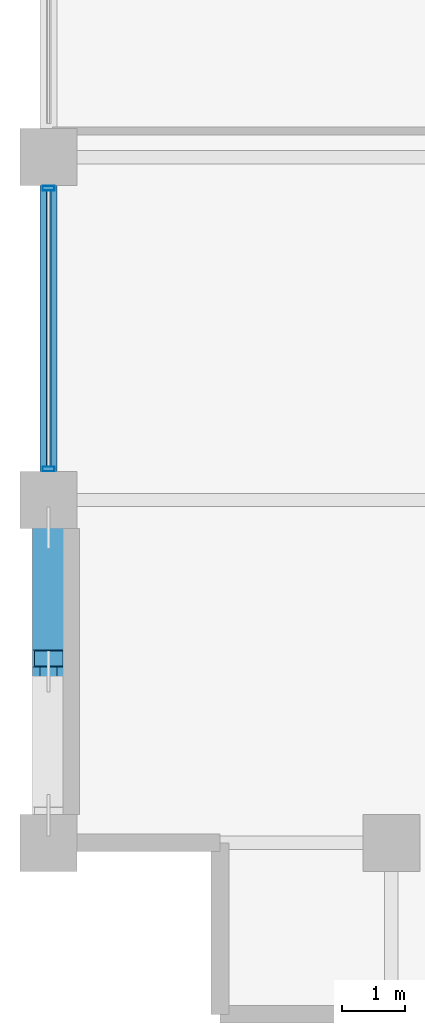
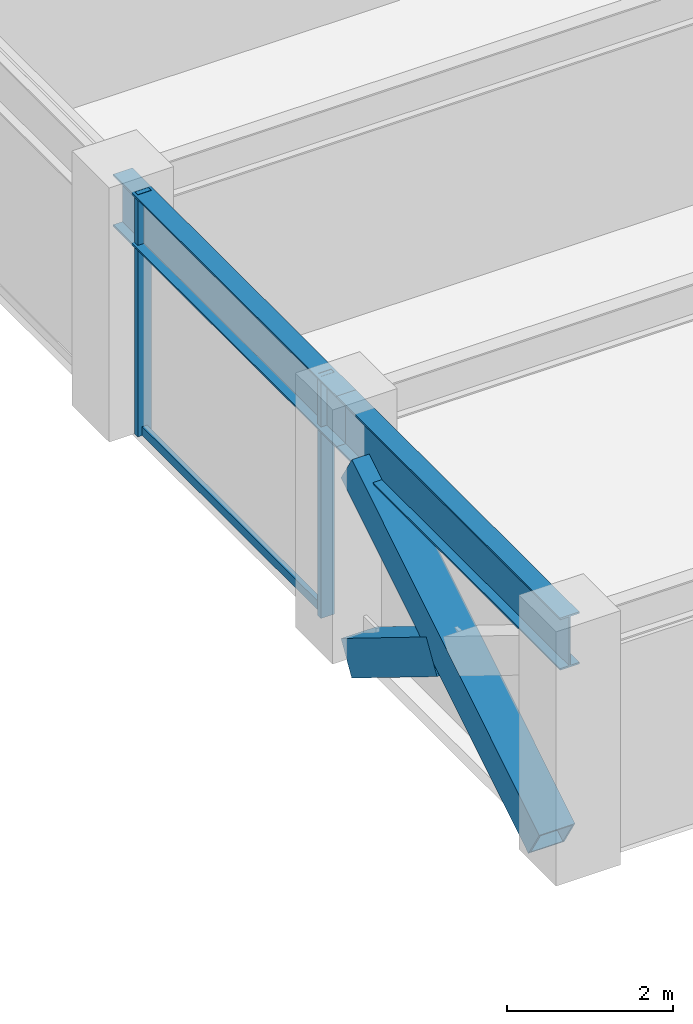
# One storey, part 4 of 32: 5 members, 2 beams, 1 element without a shape of its own.
"""IFC4 building model written with IfcOpenShell, lengths in metres."""

from ifc_helpers import new_model, si_unit, direction, frame, origin, origin_2d, place, context, subcontext, project, spatial, hollow_rectangle, i_section, extrude, material, layer, layer_set, material_profile, profile_set, type_object, element, aggregate, save


model = new_model("IFC4")

# Units and contexts
model_context = context("Model", 3, precision=1e-05, world=origin(), true_north=direction((0.0, 1.0)))
body_context = subcontext(model_context, "Body", "Model", "MODEL_VIEW")
ifc_project = project(units=[si_unit("LENGTHUNIT", "METRE"), si_unit("AREAUNIT", "SQUARE_METRE"), si_unit("VOLUMEUNIT", "CUBIC_METRE"), si_unit("PLANEANGLEUNIT", "RADIAN"), si_unit("MASSUNIT", "GRAM", prefix="KILO")], contexts=[model_context])

# Site, building, storey
site_placement = place(None, origin())
site = spatial("IfcSite", under=ifc_project, at=site_placement, CompositionType="ELEMENT")
building_placement = place(site_placement, origin())
building = spatial("IfcBuilding", under=site, at=building_placement, Name="Surkhivell Harbour Commons", CompositionType="ELEMENT")
storey_placement = place(building_placement, frame((0.0, 0.0, 197.25)))
storey = spatial("IfcBuildingStorey", under=building, at=storey_placement, Name="L51", CompositionType="ELEMENT", Elevation=197.25)

# Beams
ifc_material_1 = material(Name="Steel S355", Category="steel")
ifc_material_profile_1 = material_profile(ifc_material_1, i_section(OverallWidth=0.26806640625, OverallDepth=0.77001953125, WebThickness=0.015625, FlangeThickness=0.025390625, at=origin_2d()), Name="UB762x267x197")
ifc_profile_set_1 = profile_set([ifc_material_profile_1], Name="Steel S355")
beam_type = type_object("IfcBeamType", Name="BM-SPN-762", PredefinedType="SPANDREL", material=ifc_profile_set_1)
beam_1_placement = place(storey_placement, frame((-27.0, -16.199951171875, 3.18505859375), z_axis=(0.0, 1.0, 0.0), x_axis=(-1.0, 0.0, 0.0)))
element("IfcBeam", 1, at=beam_1_placement, inside=storey, type_object=beam_type, Name="L51 Tube Spandrel (-27.0,-16.2)", PredefinedType="SPANDREL", context=body_context, shape_type="SweptSolid", body=[
    extrude(i_section(OverallWidth=0.26806640625, OverallDepth=0.77001953125, WebThickness=0.015625, FlangeThickness=0.025390625, at=origin_2d()), origin(), (0.0, 0.0, 1.0), 5.39990234375),
])
beam_2_placement = place(storey_placement, frame((-27.0, -10.800048828125, 3.18505859375), z_axis=(0.0, 1.0, 0.0), x_axis=(-1.0, 0.0, 0.0)))
element("IfcBeam", 2, at=beam_2_placement, inside=storey, type_object=beam_type, Name="L51 Tube Spandrel (-27.0,-10.8)", PredefinedType="SPANDREL", context=body_context, shape_type="SweptSolid", body=[
    extrude(i_section(OverallWidth=0.26806640625, OverallDepth=0.77001953125, WebThickness=0.015625, FlangeThickness=0.025390625, at=origin_2d()), origin(), (0.0, 0.0, 1.0), 5.400146484375),
])

# Curtain wall, members
ifc_material_2 = material(Name="Anodised pale-metal aluminium and insulated glazing", Category="aluminium")
ifc_layer = layer(ifc_material_2, 0.18994140625)
ifc_layer_set = layer_set([ifc_layer], Name="Anodised pale-metal aluminium and insulated glazing")
curtain_wall_type = type_object("IfcCurtainWallType", Name="CW-SYS-Z3", PredefinedType="NOTDEFINED", material=ifc_layer_set)
curtain_wall_placement = place(storey_placement, origin())
curtain_wall = element("IfcCurtainWall", 3, at=curtain_wall_placement, inside=storey, type_object=curtain_wall_type, Name="L51 Curtain Wall CW-L51-E12S1", PredefinedType="NOTDEFINED")
ifc_material_3 = material(Name="Anodised pale-metal aluminium alloy 6063-T6", Category="aluminium")
ifc_material_profile_2 = material_profile(ifc_material_3, hollow_rectangle(XDim=0.074951171875, YDim=0.18994140625, WallThickness=0.00390625, at=origin_2d()), Name="ALU-MULL-75x190")
ifc_profile_set_2 = profile_set([ifc_material_profile_2], Name="Anodised pale-metal aluminium alloy 6063-T6")
member_type_1 = type_object("IfcMemberType", Name="CWM-190", PredefinedType="MULLION", material=ifc_profile_set_2)
member_1_placement = place(storey_placement, frame((-27.0, -5.889404296875, 0.0), z_axis=(0.0, 0.0, 1.0), x_axis=(0.0, -1.0, 0.0)))
member_1 = element("IfcMember", 4, at=member_1_placement, type_object=member_type_1, Name="CW-Z3 mullion 6", PredefinedType="MULLION", context=body_context, shape_type="SweptSolid", body=[
    extrude(hollow_rectangle(XDim=0.074951171875, YDim=0.18994140625, WallThickness=0.00390625, at=origin_2d()), origin(), (0.0, 0.0, 1.0), 3.570068359375),
])
member_2_placement = place(storey_placement, frame((-27.0, -10.310546875, 0.0), z_axis=(0.0, 0.0, 1.0), x_axis=(0.0, -1.0, 0.0)))
member_2 = element("IfcMember", 5, at=member_2_placement, type_object=member_type_1, Name="CW-Z3 mullion 7", PredefinedType="MULLION", context=body_context, shape_type="SweptSolid", body=[
    extrude(hollow_rectangle(XDim=0.074951171875, YDim=0.18994140625, WallThickness=0.00390625, at=origin_2d()), origin(), (0.0, 0.0, 1.0), 3.570068359375),
])
ifc_material_4 = material(Name="Champagne anodised aluminium alloy 6063-T6", Category="aluminium")
ifc_material_profile_3 = material_profile(ifc_material_4, hollow_rectangle(XDim=0.070068359375, YDim=0.1298828125, WallThickness=0.00341796875, at=origin_2d()), Name="ALU-TRAN-70x130")
ifc_profile_set_3 = profile_set([ifc_material_profile_3], Name="Champagne anodised aluminium alloy 6063-T6")
member_type_2 = type_object("IfcMemberType", Name="CWT-130", PredefinedType="USERDEFINED", material=ifc_profile_set_3)
member_3_placement = place(storey_placement, frame((-27.0, -5.927001953125, 0.06494140625), z_axis=(0.0, -1.0, 0.0), x_axis=(1.0, 0.0, 0.0)))
member_3 = element("IfcMember", 6, at=member_3_placement, type_object=member_type_2, Name="CW-Z3 transom 6.1", ObjectType="TRANSOM", PredefinedType="USERDEFINED", context=body_context, shape_type="SweptSolid", body=[
    extrude(hollow_rectangle(XDim=0.070068359375, YDim=0.1298828125, WallThickness=0.00341796875, at=origin_2d()), origin(), (0.0, 0.0, 1.0), 4.345947265625),
])
aggregate(curtain_wall, [member_1, member_2, member_3])

# Members
ifc_material_5 = material(Name="Steel S460", Category="steel")
ifc_material_profile_4 = material_profile(ifc_material_5, hollow_rectangle(XDim=0.5, YDim=0.5, WallThickness=0.02490234375, at=origin_2d()), Name="SHS500x500x25")
ifc_profile_set_4 = profile_set([ifc_material_profile_4], Name="Steel S460")
member_type_3 = type_object("IfcMemberType", Name="MEM-BRC-SHS500", PredefinedType="BRACE", material=ifc_profile_set_4)
member_4_placement = place(storey_placement, frame((-27.0, -15.764892578125, 0.008056640625), z_axis=(0.0, 0.850958380769, 0.525233123669), x_axis=(-1.0, 0.0, 0.0)))
element("IfcMember", 7, at=member_4_placement, inside=storey, type_object=member_type_3, Name="L51 Perimeter Mega-Brace MB- 10", PredefinedType="BRACE", context=body_context, shape_type="SweptSolid", body=[
    extrude(hollow_rectangle(XDim=0.5, YDim=0.5, WallThickness=0.02490234375, at=origin_2d()), origin(), (0.0, 0.0, 1.0), 5.3232421875),
])
member_5_placement = place(storey_placement, frame((-27.0, -11.235107421875, 0.008056640625), z_axis=(0.0, -0.8510034189, 0.525160147974), x_axis=(1.0, 0.0, 0.0)))
element("IfcMember", 8, at=member_5_placement, inside=storey, type_object=member_type_3, Name="L51 Perimeter Mega-Brace MB- 11", PredefinedType="BRACE", context=body_context, shape_type="SweptSolid", body=[
    extrude(hollow_rectangle(XDim=0.5, YDim=0.5, WallThickness=0.02490234375, at=origin_2d()), origin(), (0.0, 0.0, 1.0), 2.421630859375),
])

save(model, "model.ifc")
